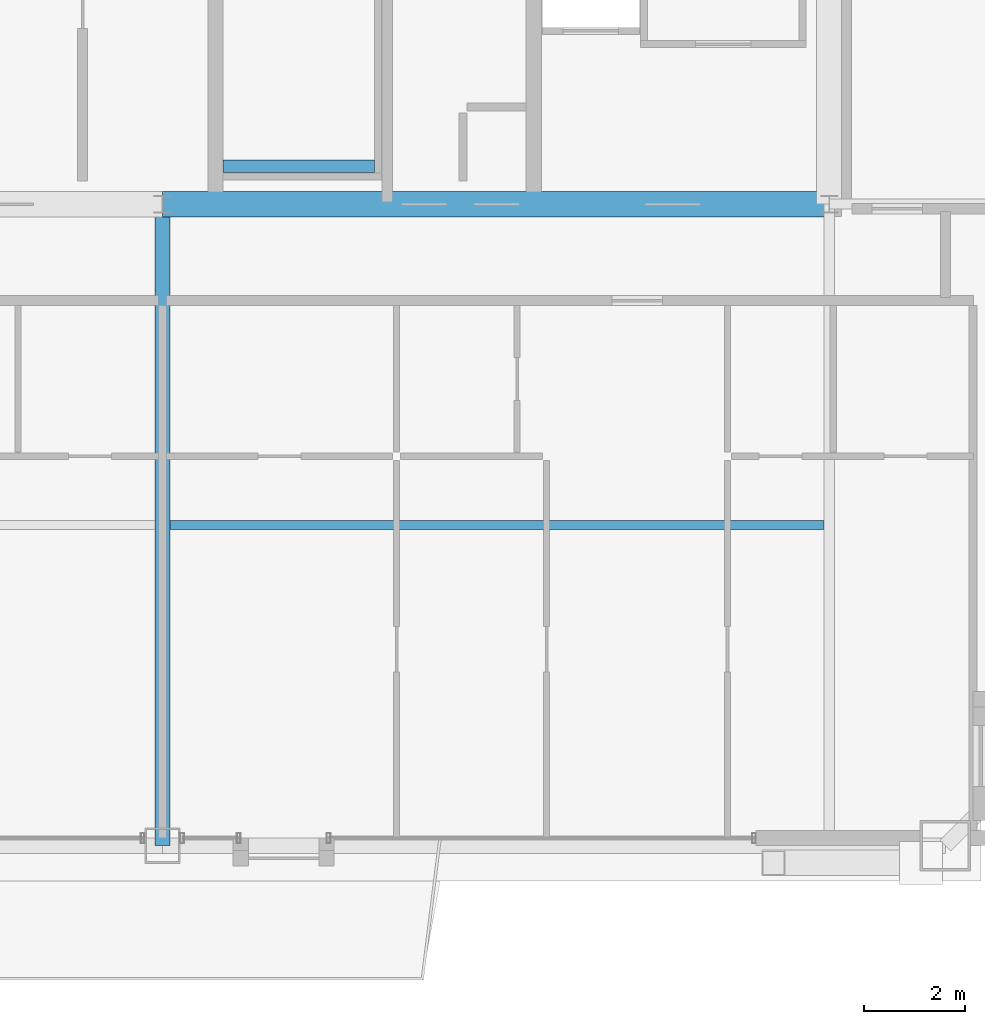
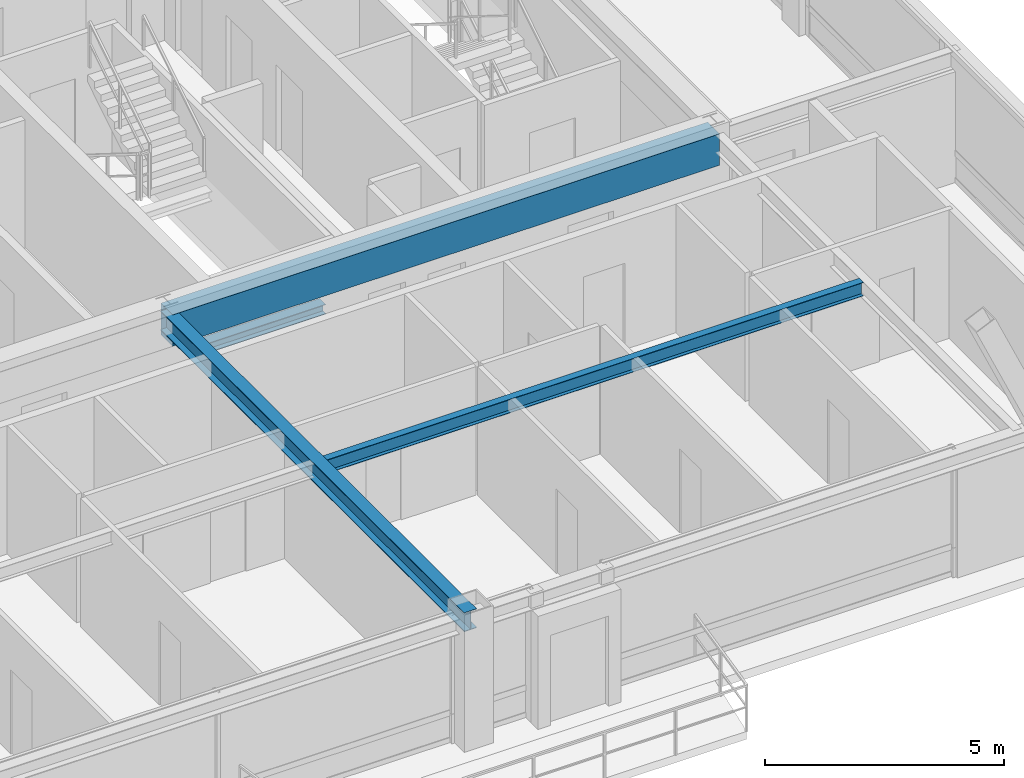
# One storey, part 8 of 33: 4 beams.
"""IFC4 building model written with IfcOpenShell, lengths in metres."""

import ifcopenshell
import ifcopenshell.guid

model = None  # the IFC model being written
_history = None  # IfcOwnerHistory: only IFC2X3 demands one
_inside = {}  # id of a spatial element -> (the spatial element, [elements in it])
_under = {}  # id of a project, library or spatial element -> (it, [spatial elements below it])
_declared = {}  # id of a project -> (the project, [libraries it declares])
_typed = {}  # id of a type object -> (the type object, [elements of that type])
_made_of = {}  # id of a material, layer set ... -> (it, [elements and type objects made of it])


def new_model(schema):
    """Start an empty IFC model of exactly this schema.

    Asked for "IFC4X3", IfcOpenShell would pick the latest addendum, in which some entities
    have other attributes; the version numbers below select the first issue.
    IFC2X3 requires an IfcOwnerHistory on every rooted entity: one is made here for all.
    """
    global model, _history
    if schema == "IFC4X3":
        model = ifcopenshell.file(schema_version=(4, 3, 0, 0))
    else:
        model = ifcopenshell.file(schema=schema)
    _inside.clear()
    _under.clear()
    _declared.clear()
    _typed.clear()
    _made_of.clear()
    _history = None
    if model.schema == "IFC2X3":
        org = make("IfcOrganization", Name="unknown")
        user = make(
            "IfcPersonAndOrganization",
            ThePerson=make("IfcPerson", FamilyName="unknown"),
            TheOrganization=org,
        )
        app = make(
            "IfcApplication",
            ApplicationDeveloper=org,
            Version="unknown",
            ApplicationFullName="unknown",
            ApplicationIdentifier="unknown",
        )
        _history = make(
            "IfcOwnerHistory",
            OwningUser=user,
            OwningApplication=app,
            ChangeAction="ADDED",
            CreationDate=0,
        )
    return model


def make(cls, **values):
    """One entity of the class cls with the attributes given. An attribute that is None is left unset."""
    return model.create_entity(
        cls, **{name: value for name, value in values.items() if value is not None}
    )


def rooted(cls, **values):
    """An entity with a GlobalId (a new one), such as an element, a storey or a relation."""
    return make(cls, GlobalId=ifcopenshell.guid.new(), OwnerHistory=_history, **values)


def si_unit(unit_type, name, prefix=None):
    """IfcSIUnit, for example si_unit("LENGTHUNIT", "METRE", prefix="MILLI")."""
    return make("IfcSIUnit", UnitType=unit_type, Prefix=prefix, Name=name)


def assignment(units):
    """IfcUnitAssignment: the units of a project."""
    return None if units is None else make("IfcUnitAssignment", Units=units)


def point(xyz):
    """IfcCartesianPoint."""
    return None if xyz is None else make("IfcCartesianPoint", Coordinates=xyz)


def direction(xyz):
    """IfcDirection."""
    return None if xyz is None else make("IfcDirection", DirectionRatios=xyz)


def frame(location, z_axis=None, x_axis=None):
    """IfcAxis2Placement3D, a coordinate frame: its origin and axes. An axis left out is left unset."""
    return make(
        "IfcAxis2Placement3D",
        Location=point(location),
        Axis=direction(z_axis),
        RefDirection=direction(x_axis),
    )


def frame_2d(location, x_axis=None):
    """IfcAxis2Placement2D, a coordinate frame in the plane: its origin and x axis."""
    return make(
        "IfcAxis2Placement2D", Location=point(location), RefDirection=direction(x_axis)
    )


def origin():
    """The frame at (0, 0, 0) with its axes left unset."""
    return frame((0.0, 0.0, 0.0))


def origin_2d():
    """The frame at (0, 0) in the plane with its x axis left unset."""
    return frame_2d((0.0, 0.0))


def place(relative_to, where):
    """IfcLocalPlacement: puts the frame where relative to a parent placement (None: the world)."""
    return make(
        "IfcLocalPlacement", PlacementRelTo=relative_to, RelativePlacement=where
    )


def context(
    kind, dimensions, precision=None, world=None, true_north=None, identifier=None
):
    """IfcGeometricRepresentationContext, for example the 3D "Model" context."""
    return make(
        "IfcGeometricRepresentationContext",
        ContextIdentifier=identifier,
        ContextType=kind,
        CoordinateSpaceDimension=dimensions,
        Precision=precision,
        WorldCoordinateSystem=world,
        TrueNorth=true_north,
    )


def subcontext(parent, identifier, kind, view, scale=None):
    """IfcGeometricRepresentationSubContext, for example "Body" below "Model"."""
    return make(
        "IfcGeometricRepresentationSubContext",
        ContextIdentifier=identifier,
        ContextType=kind,
        ParentContext=parent,
        TargetScale=scale,
        TargetView=view,
    )


def project(units=None, contexts=None):
    """IfcProject with its units and contexts."""
    return rooted(
        "IfcProject",
        Name="project",
        RepresentationContexts=contexts,
        UnitsInContext=assignment(units),
    )


def spatial(cls, under=None, at=None, **own):
    """A site, building, storey or space (cls), placed at a placement, below another one or the project."""
    s = rooted(cls, ObjectPlacement=at, **own)
    if under is not None:
        _under.setdefault(under.id(), (under, []))[1].append(s)
    return s


def profile(cls, at=None, kind="AREA", **sizes):
    """A parametric profile (cls). Its sizes go by their IFC names, for example OverallWidth=200.0."""
    return make(cls, ProfileType=kind, Position=at, **sizes)


def rectangle(**sizes):
    """IfcRectangleProfileDef."""
    return profile("IfcRectangleProfileDef", **sizes)


def i_section(**sizes):
    """IfcIShapeProfileDef."""
    return profile("IfcIShapeProfileDef", **sizes)


def extrude(swept, where, along, depth):
    """IfcExtrudedAreaSolid: the profile swept, set in the frame where, extruded along a direction by depth."""
    return make(
        "IfcExtrudedAreaSolid",
        SweptArea=swept,
        Position=where,
        ExtrudedDirection=direction(along),
        Depth=depth,
    )


def shape(context_of_items, identifier, shape_type, items):
    """IfcShapeRepresentation: the items that make up one representation, for example the "Body"."""
    return make(
        "IfcShapeRepresentation",
        ContextOfItems=context_of_items,
        RepresentationIdentifier=identifier,
        RepresentationType=shape_type,
        Items=items,
    )


def source(mapping_origin, context_of_items, identifier, shape_type, items):
    """IfcRepresentationMap: a shape defined once, which mapped items show again and again."""
    return make(
        "IfcRepresentationMap",
        MappingOrigin=mapping_origin,
        MappedRepresentation=shape(context_of_items, identifier, shape_type, items),
    )


def transform(
    local_origin,
    x_axis=None,
    y_axis=None,
    z_axis=None,
    scale=None,
    scale2=None,
    scale3=None,
    uniform=True,
):
    """IfcCartesianTransformationOperator3D, or its non-uniform kind. x_axis, y_axis, z_axis: its Axis1, 2, 3."""
    if uniform:
        return make(
            "IfcCartesianTransformationOperator3D",
            Axis1=direction(x_axis),
            Axis2=direction(y_axis),
            LocalOrigin=point(local_origin),
            Scale=scale,
            Axis3=direction(z_axis),
        )
    return make(
        "IfcCartesianTransformationOperator3DnonUniform",
        Axis1=direction(x_axis),
        Axis2=direction(y_axis),
        LocalOrigin=point(local_origin),
        Scale=scale,
        Axis3=direction(z_axis),
        Scale2=scale2,
        Scale3=scale3,
    )


def mapped(mapping_source, mapping_target):
    """IfcMappedItem: shows the shape of a source again, moved by a transform."""
    return make(
        "IfcMappedItem", MappingSource=mapping_source, MappingTarget=mapping_target
    )


def material(Name=None, Category=None):
    """IfcMaterial."""
    return make("IfcMaterial", Name=Name, Category=Category)


def material_profile(
    of_material, cross_section, Name=None, Category=None, Priority=None
):
    """IfcMaterialProfile: a cross section and its material."""
    return make(
        "IfcMaterialProfile",
        Name=Name,
        Material=of_material,
        Profile=cross_section,
        Priority=Priority,
        Category=Category,
    )


def profile_set(profiles, Name=None, composite=None):
    """IfcMaterialProfileSet."""
    return make(
        "IfcMaterialProfileSet",
        Name=Name,
        MaterialProfiles=profiles,
        CompositeProfile=composite,
    )


def made_of(thing, what):
    """Note that an element or type object is made of a material, layer set ...; save() writes the relation."""
    if what is not None:
        _made_of.setdefault(what.id(), (what, []))[1].append(thing)
    return thing


def type_object(cls, material=None, **own):
    """A type object (cls), such as IfcWallType, which elements share."""
    return made_of(rooted(cls, **own), material)


def element(
    cls,
    number,
    at=None,
    inside=None,
    cuts=None,
    type_object=None,
    material=None,
    context=None,
    identifier="Body",
    shape_type=None,
    held_by="IfcProductDefinitionShape",
    body=None,
    shapes=None,
    **own,
):
    """One element of the class cls, such as IfcWall. Its Tag is "e" and its number.

    at: its placement. inside: the storey or other place that contains it. cuts: it is an
    opening in that element (IfcRelVoidsElement). A single representation is given by context,
    identifier, shape_type and body (its items); several are given by shapes. held_by: the class
    of the entity that holds the representations. save() writes the other relations.
    """
    e = rooted(cls, Tag="e%d" % number, ObjectPlacement=at, **own)
    if body is not None:
        shapes = [shape(context, identifier, shape_type, body)]
    if shapes is not None:
        e.Representation = make(held_by, Representations=shapes)
    if inside is not None:
        _inside.setdefault(inside.id(), (inside, []))[1].append(e)
    if cuts is not None:
        rooted(
            "IfcRelVoidsElement", RelatingBuildingElement=cuts, RelatedOpeningElement=e
        )
    if type_object is not None:
        _typed.setdefault(type_object.id(), (type_object, []))[1].append(e)
    return made_of(e, material)


def aggregate(whole, parts):
    """IfcRelAggregates: a whole, such as a stair, and the parts it consists of."""
    return rooted("IfcRelAggregates", RelatingObject=whole, RelatedObjects=parts)


def save(model, path):
    """Write the relations noted so far, then the file.

    IfcRelAggregates (storeys below a building ...), IfcRelContainedInSpatialStructure (elements
    in a storey), IfcRelDefinesByType, IfcRelAssociatesMaterial and IfcRelDeclares: one each for
    every whole, place, type object, material and project.
    """
    for whole, parts in _under.values():
        aggregate(whole, parts)
    for where, things in _inside.values():
        rooted(
            "IfcRelContainedInSpatialStructure",
            RelatedElements=things,
            RelatingStructure=where,
        )
    for kind, things in _typed.values():
        rooted("IfcRelDefinesByType", RelatedObjects=things, RelatingType=kind)
    for what, things in _made_of.values():
        rooted("IfcRelAssociatesMaterial", RelatedObjects=things, RelatingMaterial=what)
    for by, libraries in _declared.values():
        rooted("IfcRelDeclares", RelatingContext=by, RelatedDefinitions=libraries)
    model.write(path)


model = new_model("IFC4")

# Units and contexts
model_context = context("Model", 3, precision=1e-05, world=origin(), true_north=direction((0.0, 1.0)))
body_context = subcontext(model_context, "Body", "Model", "MODEL_VIEW")
ifc_project = project(units=[si_unit("LENGTHUNIT", "METRE"), si_unit("AREAUNIT", "SQUARE_METRE"), si_unit("VOLUMEUNIT", "CUBIC_METRE"), si_unit("PLANEANGLEUNIT", "RADIAN"), si_unit("MASSUNIT", "GRAM", prefix="KILO"), si_unit("THERMODYNAMICTEMPERATUREUNIT", "KELVIN"), si_unit("POWERUNIT", "WATT")], contexts=[model_context])

# Site, building, storey
site_placement = place(None, origin())
site = spatial("IfcSite", under=ifc_project, at=site_placement, CompositionType="ELEMENT")
building_placement = place(site_placement, origin())
building = spatial("IfcBuilding", under=site, at=building_placement, Name="Yuzanri Waterfront Tower", CompositionType="ELEMENT")
storey_placement = place(building_placement, frame((0.0, 0.0, 321.699951171875)))
storey = spatial("IfcBuildingStorey", under=building, at=storey_placement, Name="L86", CompositionType="ELEMENT", Elevation=321.699951171875)

# Beams
ifc_material_1 = material(Name="Concrete C50", Category="concrete")
ifc_material_profile_1 = material_profile(ifc_material_1, rectangle(XDim=0.5, YDim=0.800048828125, at=origin_2d()), Name="RC 500x800")
ifc_profile_set_1 = profile_set([ifc_material_profile_1], Name="Concrete C50")
beam_type_1 = type_object("IfcBeamType", Name="Core Coupling Lintel Concrete C50 500x800", PredefinedType="LINTEL", material=ifc_profile_set_1)
shared_shape_1 = source(origin(), body_context, "Body", "SweptSolid", [
    extrude(rectangle(XDim=0.5, YDim=0.800048828125, at=origin_2d()), origin(), (0.0, 0.0, 1.0), 13.199951171875),
])
beam_1_placement = place(storey_placement, frame((37.0, 19.39990234375, 2.880126953125), z_axis=(1.0, 0.0, 0.0), x_axis=(0.0, 1.0, 0.0)))
element("IfcBeam", 1, at=beam_1_placement, inside=storey, type_object=beam_type_1, Name="L86 Core Tie Beam CS2", PredefinedType="LINTEL", context=body_context, shape_type="MappedRepresentation", body=[
    mapped(shared_shape_1, transform((0.0, 0.0, 0.0), scale=1.0)),
])
ifc_material_2 = material(Name="Steel Q355B", Category="steel")
ifc_material_profile_2 = material_profile(ifc_material_2, i_section(OverallWidth=0.175048828125, OverallDepth=0.35009765625, WebThickness=0.007080078125, FlangeThickness=0.010986328125, at=origin_2d()), Name="HN 350x175x7x11")
ifc_profile_set_2 = profile_set([ifc_material_profile_2], Name="Steel Q355B")
beam_type_2 = type_object("IfcBeamType", Name="Floor Joist Q355B HN 350x175", PredefinedType="JOIST", material=ifc_profile_set_2)
shared_shape_2 = source(origin(), body_context, "Body", "SweptSolid", [
    extrude(i_section(OverallWidth=0.175048828125, OverallDepth=0.35009765625, WebThickness=0.007080078125, FlangeThickness=0.010986328125, at=origin_2d()), origin(), (0.0, 0.0, 1.0), 12.9501953125),
])
beam_2_placement = place(storey_placement, frame((37.14990234375, 13.050048828125, 3.10498046875), z_axis=(1.0, 0.0, 0.0), x_axis=(0.0, 1.0, 0.0)))
element("IfcBeam", 2, at=beam_2_placement, inside=storey, type_object=beam_type_2, Name="L86 South Bay Joist E", PredefinedType="JOIST", context=body_context, shape_type="MappedRepresentation", body=[
    mapped(shared_shape_2, transform((0.0, 0.0, 0.0), scale=1.0)),
])
ifc_material_3 = material(Name="Steel Q355B", Category="steel")
ifc_material_profile_3 = material_profile(ifc_material_3, i_section(OverallWidth=0.300048828125, OverallDepth=0.488037109375, WebThickness=0.010986328125, FlangeThickness=0.01806640625, at=origin_2d()), Name="HM 488x300x11x18")
ifc_profile_set_3 = profile_set([ifc_material_profile_3], Name="Steel Q355B")
beam_type_3 = type_object("IfcBeamType", Name="Primary Floor Girder Q355B HM 488x300", PredefinedType="BEAM", material=ifc_profile_set_3)
shared_shape_3 = source(origin(), body_context, "Body", "SweptSolid", [
    extrude(i_section(OverallWidth=0.300048828125, OverallDepth=0.488037109375, WebThickness=0.010986328125, FlangeThickness=0.01806640625, at=origin_2d()), origin(), (0.0, 0.0, 1.0), 12.699951171875),
])
beam_3_placement = place(storey_placement, frame((37.0, 19.39990234375, 3.0361328125), z_axis=(0.0, -1.0, 0.0), x_axis=(1.0, 0.0, 0.0)))
element("IfcBeam", 3, at=beam_3_placement, inside=storey, type_object=beam_type_3, Name="L86 South Grid Girder", PredefinedType="BEAM", context=body_context, shape_type="MappedRepresentation", body=[
    mapped(shared_shape_3, transform((0.0, 0.0, 0.0), scale=1.0)),
])
ifc_material_4 = material(Name="Steel Q355B", Category="steel")
ifc_material_profile_4 = material_profile(ifc_material_4, i_section(OverallWidth=0.25, OverallDepth=0.25, WebThickness=0.009033203125, FlangeThickness=0.013916015625, at=origin_2d()), Name="HW 250x250x9x14")
ifc_profile_set_4 = profile_set([ifc_material_profile_4], Name="Steel Q355B")
beam_type_4 = type_object("IfcBeamType", Name="Stair Landing Support Beam Q355B HW 250x250", PredefinedType="BEAM", material=ifc_profile_set_4)
shared_shape_4 = source(origin(), body_context, "Body", "SweptSolid", [
    extrude(i_section(OverallWidth=0.25, OverallDepth=0.25, WebThickness=0.009033203125, FlangeThickness=0.013916015625, at=origin_2d()), origin(), (0.0, 0.0, 1.0), 3.0),
])
beam_4_placement = place(storey_placement, frame((38.199951171875, 20.14990234375, 1.425048828125), z_axis=(1.0, 0.0, 0.0), x_axis=(0.0, 1.0, 0.0)))
element("IfcBeam", 4, at=beam_4_placement, inside=storey, type_object=beam_type_4, Name="L86 Stair Landing Support Beam ST-03-L86-L1-1", PredefinedType="BEAM", context=body_context, shape_type="MappedRepresentation", body=[
    mapped(shared_shape_4, transform((0.0, 0.0, 0.0), scale=1.0)),
])

save(model, "model.ifc")
